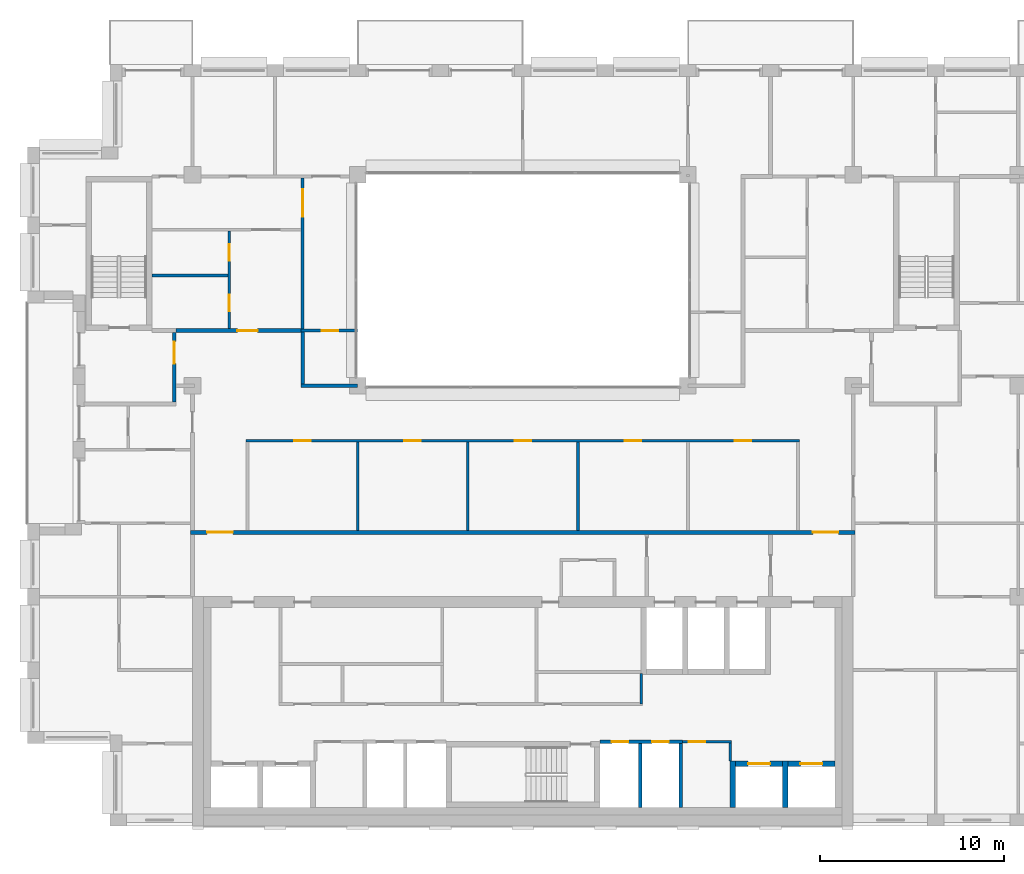
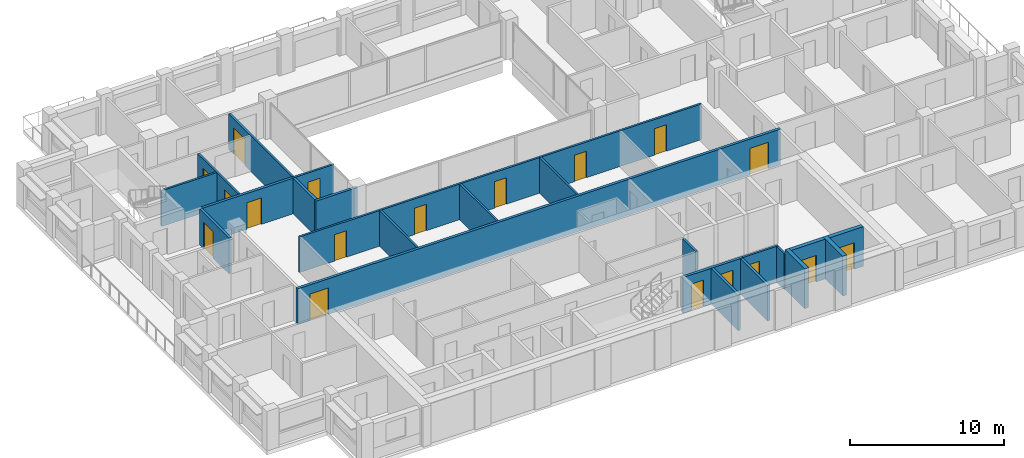
# One storey, part 10 of 16: 23 walls, 18 doors, 18 openings.
"""IFC4 building model written with IfcOpenShell, lengths in metres."""

from ifc_helpers import new_model, si_unit, direction, frame, frame_2d, origin, place, context, subcontext, project, spatial, rectangle, extrude, material, layer, layer_set, type_object, element, fill, save


model = new_model("IFC4")

# Units and contexts
model_context = context("Model", 3, precision=1e-05, world=origin(), true_north=direction((0.0, 1.0)))
body_context = subcontext(model_context, "Body", "Model", "MODEL_VIEW")
ifc_project = project(units=[si_unit("LENGTHUNIT", "METRE"), si_unit("AREAUNIT", "SQUARE_METRE"), si_unit("VOLUMEUNIT", "CUBIC_METRE"), si_unit("PLANEANGLEUNIT", "RADIAN"), si_unit("MASSUNIT", "GRAM", prefix="KILO")], contexts=[model_context])

# Site, building, storey
site_placement = place(None, origin())
site = spatial("IfcSite", under=ifc_project, at=site_placement, CompositionType="ELEMENT")
building_placement = place(site_placement, origin())
building = spatial("IfcBuilding", under=site, at=building_placement, Name="Brigalow Station Residences", CompositionType="ELEMENT")
storey_placement = place(building_placement, frame((0.0, 0.0, 201.14990234375)))
storey = spatial("IfcBuildingStorey", under=building, at=storey_placement, Name="L57", CompositionType="ELEMENT", Elevation=201.14990234375)

# Wall, opening, door
ifc_material_1 = material(Name="Concrete C50", Category="concrete")
ifc_layer_1 = layer(ifc_material_1, 0.300048828125)
ifc_layer_set_1 = layer_set([ifc_layer_1], Name="CORE SHEAR WALL 300 C50")
wall_type_1 = type_object("IfcWallType", Name="CORE SHEAR WALL 300 C50", PredefinedType="SHEAR", material=ifc_layer_set_1)
wall_1_placement = place(storey_placement, frame((47.60009765625, 3.39990234375, 0.0), z_axis=(0.0, 0.0, 1.0), x_axis=(1.0, 0.0, 0.0)))
wall_1 = element("IfcWall", 1, at=wall_1_placement, inside=storey, type_object=wall_type_1, Name="CORE WALL SH-C3-N L57", PredefinedType="SHEAR", context=body_context, shape_type="SweptSolid", body=[
    extrude(rectangle(XDim=2.5498046875, YDim=0.300048828125, at=frame_2d((1.27490234375, 0.0))), origin(), (0.0, 0.0, 1.0), 3.150146484375),
])
opening_1_placement = place(wall_1_placement, frame((0.675048828125, 0.0, 0.0)))
opening_1 = element("IfcOpeningElement", 2, at=opening_1_placement, cuts=wall_1, Name="Opening LD-LB3", PredefinedType="OPENING", context=body_context, shape_type="SweptSolid", body=[
    extrude(rectangle(XDim=1.199951171875, YDim=2.10009765625, at=frame_2d((0.60009765625, 1.050048828125))), frame((0.0, 0.16015625, 0.0), z_axis=(0.0, -1.0, 0.0), x_axis=(1.0, 0.0, 0.0)), (0.0, 0.0, 1.0), 0.320068359375),
])
ifc_material_2 = material(Name="Stainless steel sliding door leaves", Category="steel")
door_type_1 = type_object("IfcDoorType", Name="LIFT LANDING DOOR 1200 x 2100", OperationType="DOUBLE_DOOR_SLIDING", PredefinedType="DOOR", material=ifc_material_2)
door_1_placement = place(opening_1_placement, origin())
door_1 = element("IfcDoor", 3, at=door_1_placement, inside=storey, type_object=door_type_1, Name="LANDING DOOR LB3", OperationType="DOUBLE_DOOR_SLIDING", OverallHeight=2.10009765625, OverallWidth=1.199951171875, PredefinedType="DOOR", context=body_context, shape_type="SweptSolid", body=[
    extrude(rectangle(XDim=1.199951171875, YDim=2.10009765625, at=frame_2d((0.60009765625, 1.050048828125))), frame((0.0, 0.02490234375, 0.0), z_axis=(0.0, -1.0, 0.0), x_axis=(1.0, 0.0, 0.0)), (0.0, 0.0, 1.0), 0.050048828125),
])
fill(opening_1, door_1)

# Wall
wall_2_placement = place(storey_placement, frame((47.449951171875, 1.0, 0.0), z_axis=(0.0, 0.0, 1.0), x_axis=(0.0, 1.0, 0.0)))
element("IfcWall", 4, at=wall_2_placement, inside=storey, type_object=wall_type_1, Name="CORE WALL SH-C3-W L57", PredefinedType="SHEAR", context=body_context, shape_type="SweptSolid", body=[
    extrude(rectangle(XDim=2.550048828125, YDim=0.300048828125, at=frame_2d((1.27490234375, 0.0))), origin(), (0.0, 0.0, 1.0), 3.150146484375),
])

# Wall, opening, door
wall_3_placement = place(storey_placement, frame((50.449951171875, 3.39990234375, 0.0), z_axis=(0.0, 0.0, 1.0), x_axis=(1.0, 0.0, 0.0)))
wall_3 = element("IfcWall", 5, at=wall_3_placement, inside=storey, type_object=wall_type_1, Name="CORE WALL SH-C4-N L57", PredefinedType="SHEAR", context=body_context, shape_type="SweptSolid", body=[
    extrude(rectangle(XDim=2.550048828125, YDim=0.300048828125, at=frame_2d((1.27490234375, 0.0))), origin(), (0.0, 0.0, 1.0), 3.150146484375),
])
opening_2_placement = place(wall_3_placement, frame((0.675048828125, 0.0, 0.0)))
opening_2 = element("IfcOpeningElement", 6, at=opening_2_placement, cuts=wall_3, Name="Opening LD-LB4", PredefinedType="OPENING", context=body_context, shape_type="SweptSolid", body=[
    extrude(rectangle(XDim=1.199951171875, YDim=2.10009765625, at=frame_2d((0.60009765625, 1.050048828125))), frame((0.0, 0.16015625, 0.0), z_axis=(0.0, -1.0, 0.0), x_axis=(1.0, 0.0, 0.0)), (0.0, 0.0, 1.0), 0.320068359375),
])
door_2_placement = place(opening_2_placement, origin())
door_2 = element("IfcDoor", 7, at=door_2_placement, inside=storey, type_object=door_type_1, Name="LANDING DOOR LB4", OperationType="DOUBLE_DOOR_SLIDING", OverallHeight=2.10009765625, OverallWidth=1.199951171875, PredefinedType="DOOR", context=body_context, shape_type="SweptSolid", body=[
    extrude(rectangle(XDim=1.199951171875, YDim=2.10009765625, at=frame_2d((0.60009765625, 1.050048828125))), frame((0.0, 0.02490234375, 0.0), z_axis=(0.0, -1.0, 0.0), x_axis=(1.0, 0.0, 0.0)), (0.0, 0.0, 1.0), 0.050048828125),
])
fill(opening_2, door_2)

# Wall
wall_4_placement = place(storey_placement, frame((50.300048828125, 1.0, 0.0), z_axis=(0.0, 0.0, 1.0), x_axis=(0.0, 1.0, 0.0)))
element("IfcWall", 8, at=wall_4_placement, inside=storey, type_object=wall_type_1, Name="CORE WALL SH-C4-W L57", PredefinedType="SHEAR", context=body_context, shape_type="SweptSolid", body=[
    extrude(rectangle(XDim=2.550048828125, YDim=0.300048828125, at=frame_2d((1.27490234375, 0.0))), origin(), (0.0, 0.0, 1.0), 3.150146484375),
])

# Wall, openings, doors
ifc_material_3 = material(Name="Concrete blockwork", Category="masonry")
ifc_layer_2 = layer(ifc_material_3, 0.199951171875)
ifc_layer_set_2 = layer_set([ifc_layer_2], Name="FIRE RATED CORE PARTITION 200")
wall_type_2 = type_object("IfcWallType", Name="FIRE RATED CORE PARTITION 200", PredefinedType="PARTITIONING", material=ifc_layer_set_2)
wall_5_placement = place(storey_placement, frame((40.199951171875, 4.60009765625, 0.0), z_axis=(0.0, 0.0, 1.0), x_axis=(1.0, 0.0, 0.0)))
wall_5 = element("IfcWall", 9, at=wall_5_placement, inside=storey, type_object=wall_type_2, Name="PW-5018", PredefinedType="PARTITIONING", context=body_context, shape_type="SweptSolid", body=[
    extrude(rectangle(XDim=4.5, YDim=0.199951171875, at=frame_2d((2.25, 0.0))), origin(), (0.0, 0.0, 1.0), 2.830078125),
])
opening_3_placement = place(wall_5_placement, frame((0.64990234375, 0.0, 0.0)))
opening_3 = element("IfcOpeningElement", 10, at=opening_3_placement, cuts=wall_5, Name="Opening D-5009", PredefinedType="OPENING", context=body_context, shape_type="SweptSolid", body=[
    extrude(rectangle(XDim=0.89990234375, YDim=2.10009765625, at=frame_2d((0.449951171875, 1.050048828125))), frame((0.0, 0.10986328125, 0.0), z_axis=(0.0, -1.0, 0.0), x_axis=(1.0, 0.0, 0.0)), (0.0, 0.0, 1.0), 0.219970703125),
])
opening_4_placement = place(wall_5_placement, frame((2.85009765625, 0.0, 0.0)))
opening_4 = element("IfcOpeningElement", 11, at=opening_4_placement, cuts=wall_5, Name="Opening D-5010", PredefinedType="OPENING", context=body_context, shape_type="SweptSolid", body=[
    extrude(rectangle(XDim=0.89990234375, YDim=2.10009765625, at=frame_2d((0.449951171875, 1.050048828125))), frame((0.0, 0.10986328125, 0.0), z_axis=(0.0, -1.0, 0.0), x_axis=(1.0, 0.0, 0.0)), (0.0, 0.0, 1.0), 0.219970703125),
])
ifc_material_4 = material(Name="Steel fire door leaf in steel frame", Category="steel")
door_type_2 = type_object("IfcDoorType", Name="RISER ACCESS DOOR 900 x 2100 FD120", OperationType="SINGLE_SWING_LEFT", PredefinedType="DOOR", material=ifc_material_4)
door_3_placement = place(opening_3_placement, frame((0.89990234375, 0.0, 0.0), z_axis=(0.0, 0.0, 1.0), x_axis=(-1.0, 0.0, 0.0)))
door_3 = element("IfcDoor", 12, at=door_3_placement, inside=storey, type_object=door_type_2, Name="D-5009", OperationType="SINGLE_SWING_LEFT", OverallHeight=2.10009765625, OverallWidth=0.89990234375, PredefinedType="DOOR", context=body_context, shape_type="SweptSolid", body=[
    extrude(rectangle(XDim=0.89990234375, YDim=2.10009765625, at=frame_2d((0.449951171875, 1.050048828125))), frame((0.0, 0.02490234375, 0.0), z_axis=(0.0, -1.0, 0.0), x_axis=(1.0, 0.0, 0.0)), (0.0, 0.0, 1.0), 0.050048828125),
])
fill(opening_3, door_3)
door_4_placement = place(opening_4_placement, frame((0.89990234375, 0.0, 0.0), z_axis=(0.0, 0.0, 1.0), x_axis=(-1.0, 0.0, 0.0)))
door_4 = element("IfcDoor", 13, at=door_4_placement, inside=storey, type_object=door_type_2, Name="D-5010", OperationType="SINGLE_SWING_LEFT", OverallHeight=2.10009765625, OverallWidth=0.89990234375, PredefinedType="DOOR", context=body_context, shape_type="SweptSolid", body=[
    extrude(rectangle(XDim=0.89990234375, YDim=2.10009765625, at=frame_2d((0.449951171875, 1.050048828125))), frame((0.0, 0.02490234375, 0.0), z_axis=(0.0, -1.0, 0.0), x_axis=(1.0, 0.0, 0.0)), (0.0, 0.0, 1.0), 0.050048828125),
])
fill(opening_4, door_4)

# Walls
for number, where, z_axis, x_axis, name in (
    (14, (42.39990234375, 1.0, 0.0), (0.0, 0.0, 1.0), (0.0, 1.0, 0.0), "PW-5007"),
    (15, (44.60009765625, 1.0, 0.0), (0.0, 0.0, 1.0), (0.0, 1.0, 0.0), "PW-5008"),
):
    element("IfcWall", number, at=place(storey_placement, frame(where, z_axis=z_axis, x_axis=x_axis)), inside=storey, type_object=wall_type_2, Name=name, PredefinedType="PARTITIONING", context=body_context, shape_type="SweptSolid", body=[
        extrude(rectangle(XDim=3.5, YDim=0.199951171875, at=frame_2d((1.75, 0.0))), origin(), (0.0, 0.0, 1.0), 2.830078125),
    ])

# Wall, opening, door
wall_6_placement = place(storey_placement, frame((17.0, 23.10009765625, 0.0), z_axis=(0.0, 0.0, 1.0), x_axis=(0.0, 1.0, 0.0)))
wall_6 = element("IfcWall", 16, at=wall_6_placement, inside=storey, type_object=wall_type_2, Name="PW-5035", PredefinedType="PARTITIONING", context=body_context, shape_type="SweptSolid", body=[
    extrude(rectangle(XDim=3.7998046875, YDim=0.199951171875, at=frame_2d((1.89990234375, 0.0))), origin(), (0.0, 0.0, 1.0), 2.830078125),
])
opening_5_placement = place(wall_6_placement, frame((2.10009765625, 0.0, 0.0)))
opening_5 = element("IfcOpeningElement", 17, at=opening_5_placement, cuts=wall_6, Name="Opening D-5016", PredefinedType="OPENING", context=body_context, shape_type="SweptSolid", body=[
    extrude(rectangle(XDim=1.199951171875, YDim=2.10009765625, at=frame_2d((0.60009765625, 1.050048828125))), frame((0.0, 0.10986328125, 0.0), z_axis=(0.0, -1.0, 0.0), x_axis=(1.0, 0.0, 0.0)), (0.0, 0.0, 1.0), 0.219970703125),
])
ifc_material_5 = material(Name="Steel fire door leaf in steel frame", Category="steel")
door_type_3 = type_object("IfcDoorType", Name="STAIR LOBBY DOOR 1200 x 2100 FD60S", OperationType="SINGLE_SWING_LEFT", PredefinedType="DOOR", material=ifc_material_5)
door_5_placement = place(opening_5_placement, origin())
door_5 = element("IfcDoor", 18, at=door_5_placement, inside=storey, type_object=door_type_3, Name="D-5016", OperationType="SINGLE_SWING_RIGHT", OverallHeight=2.10009765625, OverallWidth=1.199951171875, PredefinedType="DOOR", context=body_context, shape_type="SweptSolid", body=[
    extrude(rectangle(XDim=1.199951171875, YDim=2.10009765625, at=frame_2d((0.60009765625, 1.050048828125))), frame((0.0, 0.02490234375, 0.0), z_axis=(0.0, -1.0, 0.0), x_axis=(1.0, 0.0, 0.0)), (0.0, 0.0, 1.0), 0.050048828125),
])
fill(opening_5, door_5)

# Wall, openings, doors
ifc_material_6 = material(Name="Plasterboard on steel stud partition", Category="steel")
ifc_layer_3 = layer(ifc_material_6, 0.14990234375)
ifc_layer_set_3 = layer_set([ifc_layer_3], Name="FLAT PARTITION 150")
wall_type_3 = type_object("IfcWallType", Name="FLAT PARTITION 150", PredefinedType="PARTITIONING", material=ifc_layer_set_3)
wall_7_placement = place(storey_placement, frame((20.925048828125, 21.0, 0.0), z_axis=(0.0, 0.0, 1.0), x_axis=(1.0, 0.0, 0.0)))
wall_7 = element("IfcWall", 19, at=wall_7_placement, inside=storey, type_object=wall_type_3, Name="PW-4A05", PredefinedType="PARTITIONING", context=body_context, shape_type="SweptSolid", body=[
    extrude(rectangle(XDim=30.14990234375, YDim=0.14990234375, at=frame_2d((15.074951171875, 0.0))), origin(), (0.0, 0.0, 1.0), 2.830078125),
])
opening_6_placement = place(wall_7_placement, frame((2.625, 0.0, 0.0)))
opening_6 = element("IfcOpeningElement", 20, at=opening_6_placement, cuts=wall_7, Name="Opening D-4A47", PredefinedType="OPENING", context=body_context, shape_type="SweptSolid", body=[
    extrude(rectangle(XDim=0.89990234375, YDim=2.10009765625, at=frame_2d((0.449951171875, 1.050048828125))), frame((0.0, 0.0849609375, 0.0), z_axis=(0.0, -1.0, 0.0), x_axis=(1.0, 0.0, 0.0)), (0.0, 0.0, 1.0), 0.169921875),
])
opening_7_placement = place(wall_7_placement, frame((8.625, 0.0, 0.0)))
opening_7 = element("IfcOpeningElement", 21, at=opening_7_placement, cuts=wall_7, Name="Opening D-4A48", PredefinedType="OPENING", context=body_context, shape_type="SweptSolid", body=[
    extrude(rectangle(XDim=0.89990234375, YDim=2.10009765625, at=frame_2d((0.449951171875, 1.050048828125))), frame((0.0, 0.0849609375, 0.0), z_axis=(0.0, -1.0, 0.0), x_axis=(1.0, 0.0, 0.0)), (0.0, 0.0, 1.0), 0.169921875),
])
opening_8_placement = place(wall_7_placement, frame((14.625, 0.0, 0.0)))
opening_8 = element("IfcOpeningElement", 22, at=opening_8_placement, cuts=wall_7, Name="Opening D-4A49", PredefinedType="OPENING", context=body_context, shape_type="SweptSolid", body=[
    extrude(rectangle(XDim=0.89990234375, YDim=2.10009765625, at=frame_2d((0.449951171875, 1.050048828125))), frame((0.0, 0.0849609375, 0.0), z_axis=(0.0, -1.0, 0.0), x_axis=(1.0, 0.0, 0.0)), (0.0, 0.0, 1.0), 0.169921875),
])
opening_9_placement = place(wall_7_placement, frame((20.625, 0.0, 0.0)))
opening_9 = element("IfcOpeningElement", 23, at=opening_9_placement, cuts=wall_7, Name="Opening D-4A50", PredefinedType="OPENING", context=body_context, shape_type="SweptSolid", body=[
    extrude(rectangle(XDim=0.89990234375, YDim=2.10009765625, at=frame_2d((0.449951171875, 1.050048828125))), frame((0.0, 0.0849609375, 0.0), z_axis=(0.0, -1.0, 0.0), x_axis=(1.0, 0.0, 0.0)), (0.0, 0.0, 1.0), 0.169921875),
])
opening_10_placement = place(wall_7_placement, frame((26.625, 0.0, 0.0)))
opening_10 = element("IfcOpeningElement", 24, at=opening_10_placement, cuts=wall_7, Name="Opening D-4A51", PredefinedType="OPENING", context=body_context, shape_type="SweptSolid", body=[
    extrude(rectangle(XDim=0.89990234375, YDim=2.10009765625, at=frame_2d((0.449951171875, 1.050048828125))), frame((0.0, 0.0849609375, 0.0), z_axis=(0.0, -1.0, 0.0), x_axis=(1.0, 0.0, 0.0)), (0.0, 0.0, 1.0), 0.169921875),
])
ifc_material_7 = material(Name="Solid-core timber door leaf", Category="wood")
door_type_4 = type_object("IfcDoorType", Name="INTERNAL DOOR 900 x 2100", OperationType="SINGLE_SWING_LEFT", PredefinedType="DOOR", material=ifc_material_7)
door_6_placement = place(opening_6_placement, frame((0.89990234375, 0.0, 0.0), z_axis=(0.0, 0.0, 1.0), x_axis=(-1.0, 0.0, 0.0)))
door_6 = element("IfcDoor", 25, at=door_6_placement, inside=storey, type_object=door_type_4, Name="D-4A47", OperationType="SINGLE_SWING_RIGHT", OverallHeight=2.10009765625, OverallWidth=0.89990234375, PredefinedType="DOOR", context=body_context, shape_type="SweptSolid", body=[
    extrude(rectangle(XDim=0.89990234375, YDim=2.10009765625, at=frame_2d((0.449951171875, 1.050048828125))), frame((0.0, 0.02490234375, 0.0), z_axis=(0.0, -1.0, 0.0), x_axis=(1.0, 0.0, 0.0)), (0.0, 0.0, 1.0), 0.050048828125),
])
fill(opening_6, door_6)
door_7_placement = place(opening_7_placement, frame((0.89990234375, 0.0, 0.0), z_axis=(0.0, 0.0, 1.0), x_axis=(-1.0, 0.0, 0.0)))
door_7 = element("IfcDoor", 26, at=door_7_placement, inside=storey, type_object=door_type_4, Name="D-4A48", OperationType="SINGLE_SWING_LEFT", OverallHeight=2.10009765625, OverallWidth=0.89990234375, PredefinedType="DOOR", context=body_context, shape_type="SweptSolid", body=[
    extrude(rectangle(XDim=0.89990234375, YDim=2.10009765625, at=frame_2d((0.449951171875, 1.050048828125))), frame((0.0, 0.02490234375, 0.0), z_axis=(0.0, -1.0, 0.0), x_axis=(1.0, 0.0, 0.0)), (0.0, 0.0, 1.0), 0.050048828125),
])
fill(opening_7, door_7)
door_8_placement = place(opening_8_placement, frame((0.89990234375, 0.0, 0.0), z_axis=(0.0, 0.0, 1.0), x_axis=(-1.0, 0.0, 0.0)))
door_8 = element("IfcDoor", 27, at=door_8_placement, inside=storey, type_object=door_type_4, Name="D-4A49", OperationType="SINGLE_SWING_LEFT", OverallHeight=2.10009765625, OverallWidth=0.89990234375, PredefinedType="DOOR", context=body_context, shape_type="SweptSolid", body=[
    extrude(rectangle(XDim=0.89990234375, YDim=2.10009765625, at=frame_2d((0.449951171875, 1.050048828125))), frame((0.0, 0.02490234375, 0.0), z_axis=(0.0, -1.0, 0.0), x_axis=(1.0, 0.0, 0.0)), (0.0, 0.0, 1.0), 0.050048828125),
])
fill(opening_8, door_8)
door_9_placement = place(opening_9_placement, frame((0.89990234375, 0.0, 0.0), z_axis=(0.0, 0.0, 1.0), x_axis=(-1.0, 0.0, 0.0)))
door_9 = element("IfcDoor", 28, at=door_9_placement, inside=storey, type_object=door_type_4, Name="D-4A50", OperationType="SINGLE_SWING_RIGHT", OverallHeight=2.10009765625, OverallWidth=0.89990234375, PredefinedType="DOOR", context=body_context, shape_type="SweptSolid", body=[
    extrude(rectangle(XDim=0.89990234375, YDim=2.10009765625, at=frame_2d((0.449951171875, 1.050048828125))), frame((0.0, 0.02490234375, 0.0), z_axis=(0.0, -1.0, 0.0), x_axis=(1.0, 0.0, 0.0)), (0.0, 0.0, 1.0), 0.050048828125),
])
fill(opening_9, door_9)
door_10_placement = place(opening_10_placement, frame((0.89990234375, 0.0, 0.0), z_axis=(0.0, 0.0, 1.0), x_axis=(-1.0, 0.0, 0.0)))
door_10 = element("IfcDoor", 29, at=door_10_placement, inside=storey, type_object=door_type_4, Name="D-4A51", OperationType="SINGLE_SWING_LEFT", OverallHeight=2.10009765625, OverallWidth=0.89990234375, PredefinedType="DOOR", context=body_context, shape_type="SweptSolid", body=[
    extrude(rectangle(XDim=0.89990234375, YDim=2.10009765625, at=frame_2d((0.449951171875, 1.050048828125))), frame((0.0, 0.02490234375, 0.0), z_axis=(0.0, -1.0, 0.0), x_axis=(1.0, 0.0, 0.0)), (0.0, 0.0, 1.0), 0.050048828125),
])
fill(opening_10, door_10)

# Wall, opening, door
wall_8_placement = place(storey_placement, frame((23.925048828125, 27.0, 0.0), z_axis=(0.0, 0.0, 1.0), x_axis=(1.0, 0.0, 0.0)))
wall_8 = element("IfcWall", 30, at=wall_8_placement, inside=storey, type_object=wall_type_3, Name="PW-4A06", PredefinedType="PARTITIONING", context=body_context, shape_type="SweptSolid", body=[
    extrude(rectangle(XDim=3.074951171875, YDim=0.14990234375, at=frame_2d((1.53759765625, 0.0))), origin(), (0.0, 0.0, 1.0), 2.830078125),
])
opening_11_placement = place(wall_8_placement, frame((1.125, 0.0, 0.0)))
opening_11 = element("IfcOpeningElement", 31, at=opening_11_placement, cuts=wall_8, Name="Opening D-4A16", PredefinedType="OPENING", context=body_context, shape_type="SweptSolid", body=[
    extrude(rectangle(XDim=0.89990234375, YDim=2.10009765625, at=frame_2d((0.449951171875, 1.050048828125))), frame((0.0, 0.0849609375, 0.0), z_axis=(0.0, -1.0, 0.0), x_axis=(1.0, 0.0, 0.0)), (0.0, 0.0, 1.0), 0.169921875),
])
door_11_placement = place(opening_11_placement, frame((0.89990234375, 0.0, 0.0), z_axis=(0.0, 0.0, 1.0), x_axis=(-1.0, 0.0, 0.0)))
door_11 = element("IfcDoor", 32, at=door_11_placement, inside=storey, type_object=door_type_4, Name="D-4A16", OperationType="SINGLE_SWING_RIGHT", OverallHeight=2.10009765625, OverallWidth=0.89990234375, PredefinedType="DOOR", context=body_context, shape_type="SweptSolid", body=[
    extrude(rectangle(XDim=0.89990234375, YDim=2.10009765625, at=frame_2d((0.449951171875, 1.050048828125))), frame((0.0, 0.02490234375, 0.0), z_axis=(0.0, -1.0, 0.0), x_axis=(1.0, 0.0, 0.0)), (0.0, 0.0, 1.0), 0.050048828125),
])
fill(opening_11, door_11)

# Wall
wall_9_placement = place(storey_placement, frame((15.800048828125, 30.0, 0.0), z_axis=(0.0, 0.0, 1.0), x_axis=(1.0, 0.0, 0.0)))
element("IfcWall", 33, at=wall_9_placement, inside=storey, type_object=wall_type_3, Name="PW-4A19", PredefinedType="PARTITIONING", context=body_context, shape_type="SweptSolid", body=[
    extrude(rectangle(XDim=4.125, YDim=0.14990234375, at=frame_2d((2.0625, 0.0))), origin(), (0.0, 0.0, 1.0), 2.830078125),
])

# Wall, opening, door
wall_10_placement = place(storey_placement, frame((24.0, 27.074951171875, 0.0), z_axis=(0.0, 0.0, 1.0), x_axis=(0.0, 1.0, 0.0)))
wall_10 = element("IfcWall", 34, at=wall_10_placement, inside=storey, type_object=wall_type_3, Name="PW-4A39", PredefinedType="PARTITIONING", context=body_context, shape_type="SweptSolid", body=[
    extrude(rectangle(XDim=8.25, YDim=0.14990234375, at=frame_2d((4.125, 0.0))), origin(), (0.0, 0.0, 1.0), 2.830078125),
])
opening_12_placement = place(wall_10_placement, frame((6.125, 0.0, 0.0)))
opening_12 = element("IfcOpeningElement", 35, at=opening_12_placement, cuts=wall_10, Name="Opening D-4A15", PredefinedType="OPENING", context=body_context, shape_type="SweptSolid", body=[
    extrude(rectangle(XDim=1.5, YDim=2.10009765625, at=frame_2d((0.75, 1.050048828125))), frame((0.0, 0.0849609375, 0.0), z_axis=(0.0, -1.0, 0.0), x_axis=(1.0, 0.0, 0.0)), (0.0, 0.0, 1.0), 0.169921875),
])
ifc_material_8 = material(Name="Solid-core timber door leaf", Category="wood")
door_type_5 = type_object("IfcDoorType", Name="INTERNAL DOUBLE DOOR 1500 x 2100", OperationType="DOUBLE_DOOR_SINGLE_SWING", PredefinedType="DOOR", material=ifc_material_8)
door_12_placement = place(opening_12_placement, origin())
door_12 = element("IfcDoor", 36, at=door_12_placement, inside=storey, type_object=door_type_5, Name="D-4A15", OperationType="DOUBLE_DOOR_SINGLE_SWING", OverallHeight=2.10009765625, OverallWidth=1.5, PredefinedType="DOOR", context=body_context, shape_type="SweptSolid", body=[
    extrude(rectangle(XDim=1.5, YDim=2.10009765625, at=frame_2d((0.75, 1.050048828125))), frame((0.0, 0.02490234375, 0.0), z_axis=(0.0, -1.0, 0.0), x_axis=(1.0, 0.0, 0.0)), (0.0, 0.0, 1.0), 0.050048828125),
])
fill(opening_12, door_12)

# Wall, openings, doors
wall_11_placement = place(storey_placement, frame((20.0, 27.10009765625, 0.0), z_axis=(0.0, 0.0, 1.0), x_axis=(0.0, 1.0, 0.0)))
wall_11 = element("IfcWall", 37, at=wall_11_placement, inside=storey, type_object=wall_type_3, Name="PW-4A45", PredefinedType="PARTITIONING", context=body_context, shape_type="SweptSolid", body=[
    extrude(rectangle(XDim=5.324951171875, YDim=0.14990234375, at=frame_2d((2.66259765625, 0.0))), origin(), (0.0, 0.0, 1.0), 2.830078125),
])
opening_13_placement = place(wall_11_placement, frame((0.949951171875, 0.0, 0.0)))
opening_13 = element("IfcOpeningElement", 38, at=opening_13_placement, cuts=wall_11, Name="Opening D-4A12", PredefinedType="OPENING", context=body_context, shape_type="SweptSolid", body=[
    extrude(rectangle(XDim=0.89990234375, YDim=2.10009765625, at=frame_2d((0.449951171875, 1.050048828125))), frame((0.0, 0.0849609375, 0.0), z_axis=(0.0, -1.0, 0.0), x_axis=(1.0, 0.0, 0.0)), (0.0, 0.0, 1.0), 0.169921875),
])
opening_14_placement = place(wall_11_placement, frame((3.699951171875, 0.0, 0.0)))
opening_14 = element("IfcOpeningElement", 39, at=opening_14_placement, cuts=wall_11, Name="Opening D-4A13", PredefinedType="OPENING", context=body_context, shape_type="SweptSolid", body=[
    extrude(rectangle(XDim=0.89990234375, YDim=2.10009765625, at=frame_2d((0.449951171875, 1.050048828125))), frame((0.0, 0.0849609375, 0.0), z_axis=(0.0, -1.0, 0.0), x_axis=(1.0, 0.0, 0.0)), (0.0, 0.0, 1.0), 0.169921875),
])
door_13_placement = place(opening_13_placement, origin())
door_13 = element("IfcDoor", 40, at=door_13_placement, inside=storey, type_object=door_type_4, Name="D-4A12", OperationType="SINGLE_SWING_LEFT", OverallHeight=2.10009765625, OverallWidth=0.89990234375, PredefinedType="DOOR", context=body_context, shape_type="SweptSolid", body=[
    extrude(rectangle(XDim=0.89990234375, YDim=2.10009765625, at=frame_2d((0.449951171875, 1.050048828125))), frame((0.0, 0.02490234375, 0.0), z_axis=(0.0, -1.0, 0.0), x_axis=(1.0, 0.0, 0.0)), (0.0, 0.0, 1.0), 0.050048828125),
])
fill(opening_13, door_13)
door_14_placement = place(opening_14_placement, origin())
door_14 = element("IfcDoor", 41, at=door_14_placement, inside=storey, type_object=door_type_4, Name="D-4A13", OperationType="SINGLE_SWING_LEFT", OverallHeight=2.10009765625, OverallWidth=0.89990234375, PredefinedType="DOOR", context=body_context, shape_type="SweptSolid", body=[
    extrude(rectangle(XDim=0.89990234375, YDim=2.10009765625, at=frame_2d((0.449951171875, 1.050048828125))), frame((0.0, 0.02490234375, 0.0), z_axis=(0.0, -1.0, 0.0), x_axis=(1.0, 0.0, 0.0)), (0.0, 0.0, 1.0), 0.050048828125),
])
fill(opening_14, door_14)

# Walls
for number, where, z_axis, x_axis, name in (
    (42, (27.0, 16.10009765625, 0.0), (0.0, 0.0, 1.0), (0.0, 1.0, 0.0), "PW-4A64"),
    (43, (33.0, 16.10009765625, 0.0), (0.0, 0.0, 1.0), (0.0, 1.0, 0.0), "PW-4A65"),
    (44, (39.0, 16.10009765625, 0.0), (0.0, 0.0, 1.0), (0.0, 1.0, 0.0), "PW-4A66"),
):
    element("IfcWall", number, at=place(storey_placement, frame(where, z_axis=z_axis, x_axis=x_axis)), inside=storey, type_object=wall_type_3, Name=name, PredefinedType="PARTITIONING", context=body_context, shape_type="SweptSolid", body=[
        extrude(rectangle(XDim=4.824951171875, YDim=0.14990234375, at=frame_2d((2.41259765625, 0.0))), origin(), (0.0, 0.0, 1.0), 2.830078125),
    ])
ifc_material_9 = material(Name="Plasterboard on steel stud partition", Category="steel")
ifc_layer_4 = layer(ifc_material_9, 0.199951171875)
ifc_layer_set_4 = layer_set([ifc_layer_4], Name="PARTY AND CORRIDOR WALL 200")
wall_type_4 = type_object("IfcWallType", Name="PARTY AND CORRIDOR WALL 200", PredefinedType="PARTITIONING", material=ifc_layer_set_4)
wall_12_placement = place(storey_placement, frame((23.89990234375, 24.0, 0.0), z_axis=(0.0, 0.0, 1.0), x_axis=(1.0, 0.0, 0.0)))
element("IfcWall", 45, at=wall_12_placement, inside=storey, type_object=wall_type_4, Name="PW-4A02", PredefinedType="PARTITIONING", context=body_context, shape_type="SweptSolid", body=[
    extrude(rectangle(XDim=3.10009765625, YDim=0.199951171875, at=frame_2d((1.550048828125, 0.0))), origin(), (0.0, 0.0, 1.0), 2.830078125),
])

# Wall, opening, door
wall_13_placement = place(storey_placement, frame((17.10009765625, 27.0, 0.0), z_axis=(0.0, 0.0, 1.0), x_axis=(1.0, 0.0, 0.0)))
wall_13 = element("IfcWall", 46, at=wall_13_placement, inside=storey, type_object=wall_type_4, Name="PW-4A07", PredefinedType="PARTITIONING", context=body_context, shape_type="SweptSolid", body=[
    extrude(rectangle(XDim=6.974853515625, YDim=0.199951171875, at=frame_2d((3.4873046875, 0.0))), origin(), (0.0, 0.0, 1.0), 2.830078125),
])
opening_15_placement = place(wall_13_placement, frame((3.35009765625, 0.0, 0.0)))
opening_15 = element("IfcOpeningElement", 47, at=opening_15_placement, cuts=wall_13, Name="Opening D-4A11", PredefinedType="OPENING", context=body_context, shape_type="SweptSolid", body=[
    extrude(rectangle(XDim=1.10009765625, YDim=2.10009765625, at=frame_2d((0.550048828125, 1.050048828125))), frame((0.0, 0.10986328125, 0.0), z_axis=(0.0, -1.0, 0.0), x_axis=(1.0, 0.0, 0.0)), (0.0, 0.0, 1.0), 0.219970703125),
])
ifc_material_10 = material(Name="Solid-core timber door leaf", Category="wood")
door_type_6 = type_object("IfcDoorType", Name="FLAT ENTRANCE DOOR 1100 x 2100 FRL -/60/30", OperationType="SINGLE_SWING_LEFT", PredefinedType="DOOR", material=ifc_material_10)
door_15_placement = place(opening_15_placement, origin())
door_15 = element("IfcDoor", 48, at=door_15_placement, inside=storey, type_object=door_type_6, Name="D-4A11", OperationType="SINGLE_SWING_LEFT", OverallHeight=2.10009765625, OverallWidth=1.10009765625, PredefinedType="DOOR", context=body_context, shape_type="SweptSolid", body=[
    extrude(rectangle(XDim=1.10009765625, YDim=2.10009765625, at=frame_2d((0.550048828125, 1.050048828125))), frame((0.0, 0.02490234375, 0.0), z_axis=(0.0, -1.0, 0.0), x_axis=(1.0, 0.0, 0.0)), (0.0, 0.0, 1.0), 0.050048828125),
])
fill(opening_15, door_15)

# Wall, openings, doors
wall_14_placement = place(storey_placement, frame((17.89990234375, 16.0, 0.0), z_axis=(0.0, 0.0, 1.0), x_axis=(1.0, 0.0, 0.0)))
wall_14 = element("IfcWall", 49, at=wall_14_placement, inside=storey, type_object=wall_type_4, Name="PW-4A32", PredefinedType="PARTITIONING", context=body_context, shape_type="SweptSolid", body=[
    extrude(rectangle(XDim=36.2001953125, YDim=0.199951171875, at=frame_2d((18.10009765625, 0.0))), origin(), (0.0, 0.0, 1.0), 2.830078125),
])
opening_16_placement = place(wall_14_placement, frame((0.89990234375, 0.0, 0.0)))
opening_16 = element("IfcOpeningElement", 50, at=opening_16_placement, cuts=wall_14, Name="Opening D-4A01", PredefinedType="OPENING", context=body_context, shape_type="SweptSolid", body=[
    extrude(rectangle(XDim=1.39990234375, YDim=2.10009765625, at=frame_2d((0.699951171875, 1.050048828125))), frame((0.0, 0.10986328125, 0.0), z_axis=(0.0, -1.0, 0.0), x_axis=(1.0, 0.0, 0.0)), (0.0, 0.0, 1.0), 0.219970703125),
])
opening_17_placement = place(wall_14_placement, frame((33.89990234375, 0.0, 0.0)))
opening_17 = element("IfcOpeningElement", 51, at=opening_17_placement, cuts=wall_14, Name="Opening D-4A02", PredefinedType="OPENING", context=body_context, shape_type="SweptSolid", body=[
    extrude(rectangle(XDim=1.39990234375, YDim=2.10009765625, at=frame_2d((0.699951171875, 1.050048828125))), frame((0.0, 0.10986328125, 0.0), z_axis=(0.0, -1.0, 0.0), x_axis=(1.0, 0.0, 0.0)), (0.0, 0.0, 1.0), 0.219970703125),
])
ifc_material_11 = material(Name="Solid-core timber door leaf", Category="wood")
door_type_7 = type_object("IfcDoorType", Name="CORRIDOR FIRE DOOR 1400 x 2100 FRL -/60/30", OperationType="DOUBLE_DOOR_SINGLE_SWING", PredefinedType="DOOR", material=ifc_material_11)
door_16_placement = place(opening_16_placement, frame((1.39990234375, 0.0, 0.0), z_axis=(0.0, 0.0, 1.0), x_axis=(-1.0, 0.0, 0.0)))
door_16 = element("IfcDoor", 52, at=door_16_placement, inside=storey, type_object=door_type_7, Name="D-4A01", OperationType="DOUBLE_DOOR_SINGLE_SWING", OverallHeight=2.10009765625, OverallWidth=1.39990234375, PredefinedType="DOOR", context=body_context, shape_type="SweptSolid", body=[
    extrude(rectangle(XDim=1.39990234375, YDim=2.10009765625, at=frame_2d((0.699951171875, 1.050048828125))), frame((0.0, 0.02490234375, 0.0), z_axis=(0.0, -1.0, 0.0), x_axis=(1.0, 0.0, 0.0)), (0.0, 0.0, 1.0), 0.050048828125),
])
fill(opening_16, door_16)
door_17_placement = place(opening_17_placement, frame((1.39990234375, 0.0, 0.0), z_axis=(0.0, 0.0, 1.0), x_axis=(-1.0, 0.0, 0.0)))
door_17 = element("IfcDoor", 53, at=door_17_placement, inside=storey, type_object=door_type_7, Name="D-4A02", OperationType="DOUBLE_DOOR_SINGLE_SWING", OverallHeight=2.10009765625, OverallWidth=1.39990234375, PredefinedType="DOOR", context=body_context, shape_type="SweptSolid", body=[
    extrude(rectangle(XDim=1.39990234375, YDim=2.10009765625, at=frame_2d((0.699951171875, 1.050048828125))), frame((0.0, 0.02490234375, 0.0), z_axis=(0.0, -1.0, 0.0), x_axis=(1.0, 0.0, 0.0)), (0.0, 0.0, 1.0), 0.050048828125),
])
fill(opening_17, door_17)

# Wall
wall_15_placement = place(storey_placement, frame((24.0, 24.10009765625, 0.0), z_axis=(0.0, 0.0, 1.0), x_axis=(0.0, 1.0, 0.0)))
element("IfcWall", 54, at=wall_15_placement, inside=storey, type_object=wall_type_4, Name="PW-4A40", PredefinedType="PARTITIONING", context=body_context, shape_type="SweptSolid", body=[
    extrude(rectangle(XDim=2.824951171875, YDim=0.199951171875, at=frame_2d((1.41259765625, 0.0))), origin(), (0.0, 0.0, 1.0), 2.830078125),
])

# Wall, opening, door
ifc_material_12 = material(Name="Plasterboard on steel studs", Category="steel")
ifc_layer_5 = layer(ifc_material_12, 0.14990234375)
ifc_layer_set_5 = layer_set([ifc_layer_5], Name="SERVICE ROOM PARTITION 150")
wall_type_5 = type_object("IfcWallType", Name="SERVICE ROOM PARTITION 150", PredefinedType="PARTITIONING", material=ifc_layer_set_5)
wall_16_placement = place(storey_placement, frame((44.699951171875, 4.60009765625, 0.0), z_axis=(0.0, 0.0, 1.0), x_axis=(1.0, 0.0, 0.0)))
wall_16 = element("IfcWall", 55, at=wall_16_placement, inside=storey, type_object=wall_type_5, Name="PW-5156", PredefinedType="PARTITIONING", context=body_context, shape_type="SweptSolid", body=[
    extrude(rectangle(XDim=2.675048828125, YDim=0.14990234375, at=frame_2d((1.33740234375, 0.0))), origin(), (0.0, 0.0, 1.0), 2.830078125),
])
opening_18_placement = place(wall_16_placement, frame((0.35009765625, 0.0, 0.0)))
opening_18 = element("IfcOpeningElement", 56, at=opening_18_placement, cuts=wall_16, Name="Opening D-5026", PredefinedType="OPENING", context=body_context, shape_type="SweptSolid", body=[
    extrude(rectangle(XDim=0.89990234375, YDim=2.10009765625, at=frame_2d((0.449951171875, 1.050048828125))), frame((0.0, 0.0849609375, 0.0), z_axis=(0.0, -1.0, 0.0), x_axis=(1.0, 0.0, 0.0)), (0.0, 0.0, 1.0), 0.169921875),
])
ifc_material_13 = material(Name="Steel door leaf in steel frame", Category="steel")
door_type_8 = type_object("IfcDoorType", Name="SERVICE ROOM DOOR 900 x 2100 FD60", OperationType="SINGLE_SWING_LEFT", PredefinedType="DOOR", material=ifc_material_13)
door_18_placement = place(opening_18_placement, frame((0.89990234375, 0.0, 0.0), z_axis=(0.0, 0.0, 1.0), x_axis=(-1.0, 0.0, 0.0)))
door_18 = element("IfcDoor", 57, at=door_18_placement, inside=storey, type_object=door_type_8, Name="D-5026", OperationType="SINGLE_SWING_RIGHT", OverallHeight=2.10009765625, OverallWidth=0.89990234375, PredefinedType="DOOR", context=body_context, shape_type="SweptSolid", body=[
    extrude(rectangle(XDim=0.89990234375, YDim=2.10009765625, at=frame_2d((0.449951171875, 1.050048828125))), frame((0.0, 0.02490234375, 0.0), z_axis=(0.0, -1.0, 0.0), x_axis=(1.0, 0.0, 0.0)), (0.0, 0.0, 1.0), 0.050048828125),
])
fill(opening_18, door_18)

# Walls
wall_17_placement = place(storey_placement, frame((47.300048828125, 3.550048828125, 0.0), z_axis=(0.0, 0.0, 1.0), x_axis=(0.0, 1.0, 0.0)))
element("IfcWall", 58, at=wall_17_placement, inside=storey, type_object=wall_type_5, Name="PW-5158", PredefinedType="PARTITIONING", context=body_context, shape_type="SweptSolid", body=[
    extrude(rectangle(XDim=0.974853515625, YDim=0.14990234375, at=frame_2d((0.4873046875, 0.0))), origin(), (0.0, 0.0, 1.0), 2.830078125),
])
wall_18_placement = place(storey_placement, frame((42.449951171875, 6.64990234375, 0.0), z_axis=(0.0, 0.0, 1.0), x_axis=(0.0, 1.0, 0.0)))
element("IfcWall", 59, at=wall_18_placement, inside=storey, type_object=wall_type_5, Name="PW-5206", PredefinedType="PARTITIONING", context=body_context, shape_type="SweptSolid", body=[
    extrude(rectangle(XDim=1.675048828125, YDim=0.14990234375, at=frame_2d((0.83740234375, 0.0))), origin(), (0.0, 0.0, 1.0), 2.830078125),
])

save(model, "model.ifc")
